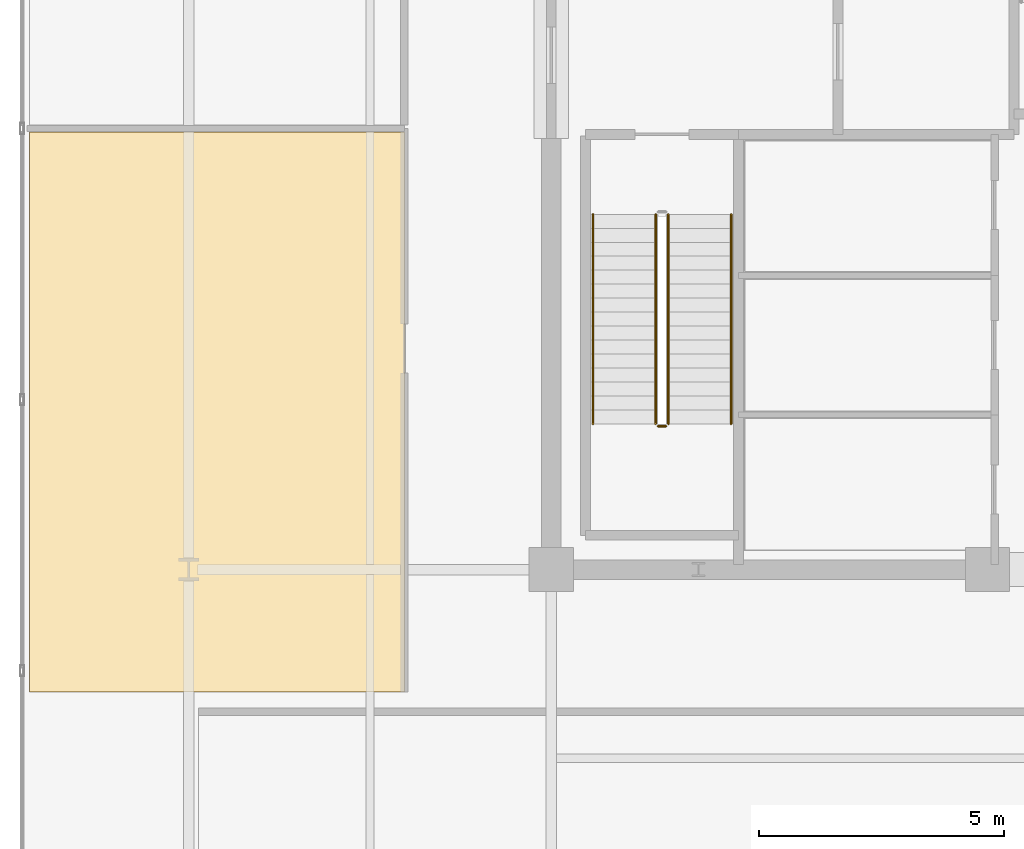
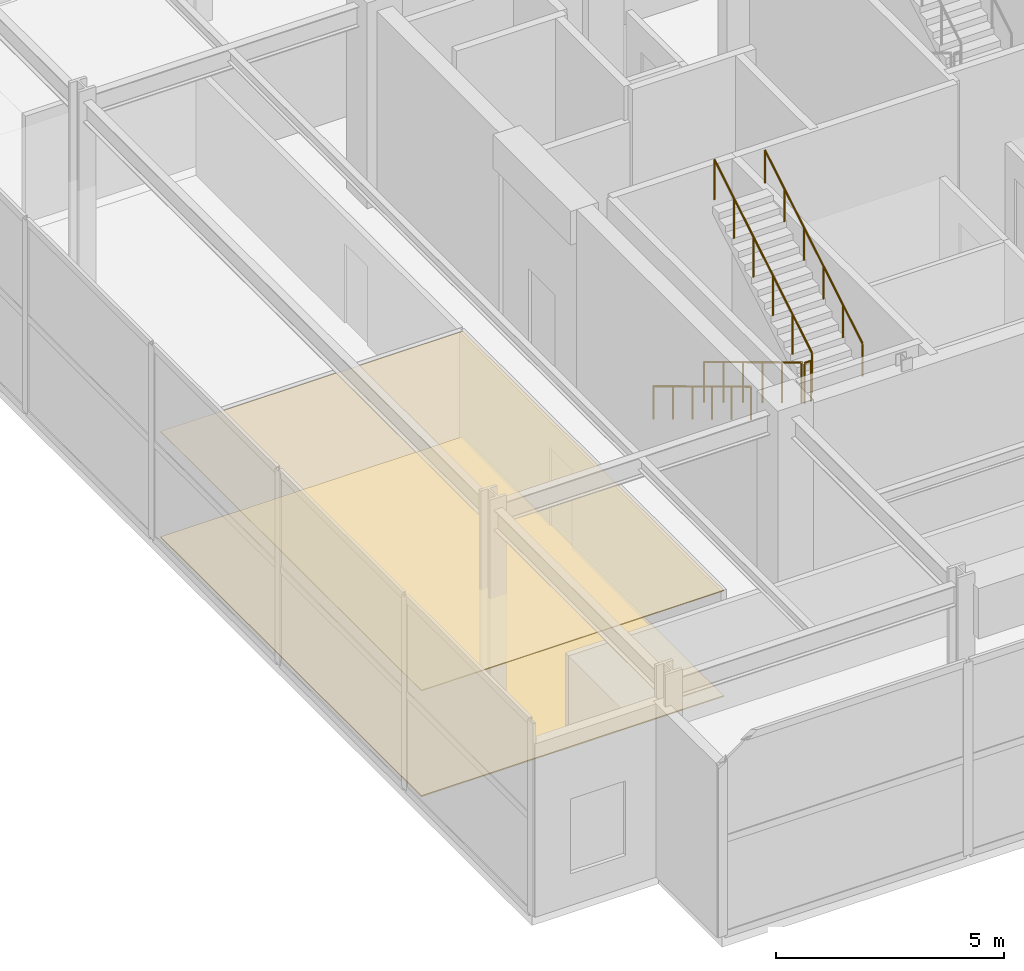
# One storey, part 21 of 24: 5 railings, 2 coverings.
"""IFC4 building model written with IfcOpenShell, lengths in metres."""

from ifc_helpers import new_model, si_unit, direction, frame, origin, origin_2d, place, context, subcontext, project, spatial, polyline, circle, outline, extrude, material, layer, layer_set, type_object, element, save


model = new_model("IFC4")

# Units and contexts
model_context = context("Model", 3, precision=1e-05, world=origin(), true_north=direction((0.0, 1.0)))
body_context = subcontext(model_context, "Body", "Model", "MODEL_VIEW")
ifc_project = project(units=[si_unit("LENGTHUNIT", "METRE"), si_unit("AREAUNIT", "SQUARE_METRE"), si_unit("VOLUMEUNIT", "CUBIC_METRE"), si_unit("PLANEANGLEUNIT", "RADIAN"), si_unit("MASSUNIT", "GRAM", prefix="KILO")], contexts=[model_context])

# Site, building, storey
site_placement = place(None, origin())
site = spatial("IfcSite", under=ifc_project, at=site_placement, CompositionType="ELEMENT")
building_placement = place(site_placement, origin())
building = spatial("IfcBuilding", under=site, at=building_placement, Name="Kovane Verandah Tower", CompositionType="ELEMENT")
storey_placement = place(building_placement, frame((0.0, 0.0, 348.800048828125)))
storey = spatial("IfcBuildingStorey", under=building, at=storey_placement, Name="L81", CompositionType="ELEMENT", Elevation=348.800048828125)

# Coverings
ifc_material_1 = material(Name="Perforated Acoustic Mineral-Fibre Ceiling Tile", Category="gypsum")
ifc_layer_1 = layer(ifc_material_1, 0.02490234375)
ifc_layer_set_1 = layer_set([ifc_layer_1], Name="Perforated Acoustic Mineral-Fibre Ceiling Tile")
covering_type_1 = type_object("IfcCoveringType", Name="CV-CEIL-25", PredefinedType="CEILING", material=ifc_layer_set_1)
covering_1_placement = place(storey_placement, frame((0.0, 0.0, 2.824951171875)))
element("IfcCovering", 1, at=covering_1_placement, inside=storey, type_object=covering_type_1, Name="L81 Sky Harbour Cafe and Lounge Acoustic Ceiling", PredefinedType="CEILING", context=body_context, shape_type="SweptSolid", body=[
    extrude(outline(polyline([(18.35009765625, 16.0), (26.0, 16.0), (26.0, 27.429931640625), (18.35009765625, 27.429931640625), (18.35009765625, 16.0)])), origin(), (0.0, 0.0, 1.0), 0.02490234375),
])
ifc_material_2 = material(Name="Polished Terrazzo and Raised-Access Carpet Tile Finish", Category="concrete")
ifc_layer_2 = layer(ifc_material_2, 0.030029296875)
ifc_layer_set_2 = layer_set([ifc_layer_2], Name="Polished Terrazzo and Raised-Access Carpet Tile Finish")
covering_type_2 = type_object("IfcCoveringType", Name="CV-FLOR-30", PredefinedType="FLOORING", material=ifc_layer_set_2)
covering_2_placement = place(storey_placement, origin())
element("IfcCovering", 2, at=covering_2_placement, inside=storey, type_object=covering_type_2, Name="L81 Sky Harbour Cafe and Lounge Floor Finish", PredefinedType="FLOORING", context=body_context, shape_type="SweptSolid", body=[
    extrude(outline(polyline([(18.35009765625, 16.0), (26.0, 16.0), (26.0, 27.429931640625), (18.35009765625, 27.429931640625), (18.35009765625, 16.0)])), origin(), (0.0, 0.0, 1.0), 0.030029296875),
])

# Railings
ifc_material_3 = material(Name="Brushed Stainless Steel Handrail", Category="steel")
railing_type_1 = type_object("IfcRailingType", Name="RL-HAND-920", PredefinedType="HANDRAIL", material=ifc_material_3)
railing_1_placement = place(storey_placement, frame((29.85009765625, 25.75, 0.171875)))
element("IfcRailing", 3, at=railing_1_placement, inside=storey, type_object=railing_type_1, Name="L81 ST-01 stair handrail 1", PredefinedType="HANDRAIL", context=body_context, shape_type="SweptSolid", body=[
    extrude(circle(Radius=0.02392578125, at=origin_2d()), frame((0.0, 0.0, 0.8759765625), z_axis=(0.0, -0.856325638601, 0.51643625035), x_axis=(1.0, 0.0, 0.0)), (0.0, 0.0, 1.0), 4.9921875),
    extrude(circle(Radius=0.02099609375, at=origin_2d()), origin(), (0.0, 0.0, 1.0), 0.851806640625),
    extrude(circle(Radius=0.02099609375, at=origin_2d()), frame((0.0, -0.85498046875, 0.515625)), (0.0, 0.0, 1.0), 0.851806640625),
    extrude(circle(Radius=0.02099609375, at=origin_2d()), frame((0.0, -1.7099609375, 1.03125)), (0.0, 0.0, 1.0), 0.851806640625),
    extrude(circle(Radius=0.02099609375, at=origin_2d()), frame((0.0, -2.56494140625, 1.546875)), (0.0, 0.0, 1.0), 0.851806640625),
    extrude(circle(Radius=0.02099609375, at=origin_2d()), frame((0.0, -3.419921875, 2.0625)), (0.0, 0.0, 1.0), 0.851806640625),
    extrude(circle(Radius=0.02099609375, at=origin_2d()), frame((0.0, -4.27490234375, 2.578125)), (0.0, 0.0, 1.0), 0.851806640625),
])
railing_2_placement = place(storey_placement, frame((32.669921875, 21.47509765625, 2.921875)))
element("IfcRailing", 4, at=railing_2_placement, inside=storey, type_object=railing_type_1, Name="L81 ST-01 stair handrail 2", PredefinedType="HANDRAIL", context=body_context, shape_type="SweptSolid", body=[
    extrude(circle(Radius=0.02392578125, at=origin_2d()), frame((0.0, 0.0, 0.8759765625), z_axis=(0.0, 0.856325638601, 0.51643625035), x_axis=(-1.0, 0.0, 0.0)), (0.0, 0.0, 1.0), 4.9921875),
    extrude(circle(Radius=0.02099609375, at=origin_2d()), origin(), (0.0, 0.0, 1.0), 0.851806640625),
    extrude(circle(Radius=0.02099609375, at=origin_2d()), frame((0.0, 0.85498046875, 0.515625)), (0.0, 0.0, 1.0), 0.851806640625),
    extrude(circle(Radius=0.02099609375, at=origin_2d()), frame((0.0, 1.7099609375, 1.03125)), (0.0, 0.0, 1.0), 0.851806640625),
    extrude(circle(Radius=0.02099609375, at=origin_2d()), frame((0.0, 2.56494140625, 1.546875)), (0.0, 0.0, 1.0), 0.851806640625),
    extrude(circle(Radius=0.02099609375, at=origin_2d()), frame((0.0, 3.419921875, 2.0625)), (0.0, 0.0, 1.0), 0.851806640625),
    extrude(circle(Radius=0.02099609375, at=origin_2d()), frame((0.0, 4.27490234375, 2.578125)), (0.0, 0.0, 1.0), 0.851806640625),
])
ifc_material_4 = material(Name="Painted Steel Stairwell Guardrail", Category="steel")
railing_type_2 = type_object("IfcRailingType", Name="RL-STGUARD-1120", PredefinedType="GUARDRAIL", material=ifc_material_4)
railing_3_placement = place(storey_placement, frame((31.1298828125, 25.75, 0.171875)))
element("IfcRailing", 5, at=railing_3_placement, inside=storey, type_object=railing_type_2, Name="L81 ST-01 stair guard 1", PredefinedType="GUARDRAIL", context=body_context, shape_type="SweptSolid", body=[
    extrude(circle(Radius=0.02392578125, at=origin_2d()), frame((0.0, 0.0, 1.076171875), z_axis=(0.0, -0.856325638601, 0.51643625035), x_axis=(1.0, 0.0, 0.0)), (0.0, 0.0, 1.0), 4.9921875),
    extrude(circle(Radius=0.02099609375, at=origin_2d()), origin(), (0.0, 0.0, 1.0), 1.052001953125),
    extrude(circle(Radius=0.02099609375, at=origin_2d()), frame((0.0, -0.85498046875, 0.515625)), (0.0, 0.0, 1.0), 1.052001953125),
    extrude(circle(Radius=0.02099609375, at=origin_2d()), frame((0.0, -1.7099609375, 1.03125)), (0.0, 0.0, 1.0), 1.052001953125),
    extrude(circle(Radius=0.02099609375, at=origin_2d()), frame((0.0, -2.56494140625, 1.546875)), (0.0, 0.0, 1.0), 1.052001953125),
    extrude(circle(Radius=0.02099609375, at=origin_2d()), frame((0.0, -3.419921875, 2.0625)), (0.0, 0.0, 1.0), 1.052001953125),
    extrude(circle(Radius=0.02099609375, at=origin_2d()), frame((0.0, -4.27490234375, 2.578125)), (0.0, 0.0, 1.0), 1.052001953125),
])
railing_4_placement = place(storey_placement, frame((31.179931640625, 21.425048828125, 2.75)))
element("IfcRailing", 6, at=railing_4_placement, inside=storey, type_object=railing_type_2, Name="L81 ST-01 stair guard 2", PredefinedType="GUARDRAIL", context=body_context, shape_type="SweptSolid", body=[
    extrude(circle(Radius=0.02392578125, at=origin_2d()), frame((0.0, 0.0, 1.076171875), z_axis=(1.0, 0.0, 0.0), x_axis=(0.0, 1.0, 0.0)), (0.0, 0.0, 1.0), 0.16015625),
    extrude(circle(Radius=0.02099609375, at=origin_2d()), origin(), (0.0, 0.0, 1.0), 1.052001953125),
    extrude(circle(Radius=0.02099609375, at=origin_2d()), frame((0.16015625, 0.0, 0.0)), (0.0, 0.0, 1.0), 1.052001953125),
])
railing_5_placement = place(storey_placement, frame((31.389892578125, 21.47509765625, 2.921875)))
element("IfcRailing", 7, at=railing_5_placement, inside=storey, type_object=railing_type_2, Name="L81 ST-01 stair guard 3", PredefinedType="GUARDRAIL", context=body_context, shape_type="SweptSolid", body=[
    extrude(circle(Radius=0.02392578125, at=origin_2d()), frame((0.0, 0.0, 1.076171875), z_axis=(0.0, 0.856325638601, 0.51643625035), x_axis=(-1.0, 0.0, 0.0)), (0.0, 0.0, 1.0), 4.9921875),
    extrude(circle(Radius=0.02099609375, at=origin_2d()), origin(), (0.0, 0.0, 1.0), 1.052001953125),
    extrude(circle(Radius=0.02099609375, at=origin_2d()), frame((0.0, 0.85498046875, 0.515625)), (0.0, 0.0, 1.0), 1.052001953125),
    extrude(circle(Radius=0.02099609375, at=origin_2d()), frame((0.0, 1.7099609375, 1.03125)), (0.0, 0.0, 1.0), 1.052001953125),
    extrude(circle(Radius=0.02099609375, at=origin_2d()), frame((0.0, 2.56494140625, 1.546875)), (0.0, 0.0, 1.0), 1.052001953125),
    extrude(circle(Radius=0.02099609375, at=origin_2d()), frame((0.0, 3.419921875, 2.0625)), (0.0, 0.0, 1.0), 1.052001953125),
    extrude(circle(Radius=0.02099609375, at=origin_2d()), frame((0.0, 4.27490234375, 2.578125)), (0.0, 0.0, 1.0), 1.052001953125),
])

save(model, "model.ifc")
